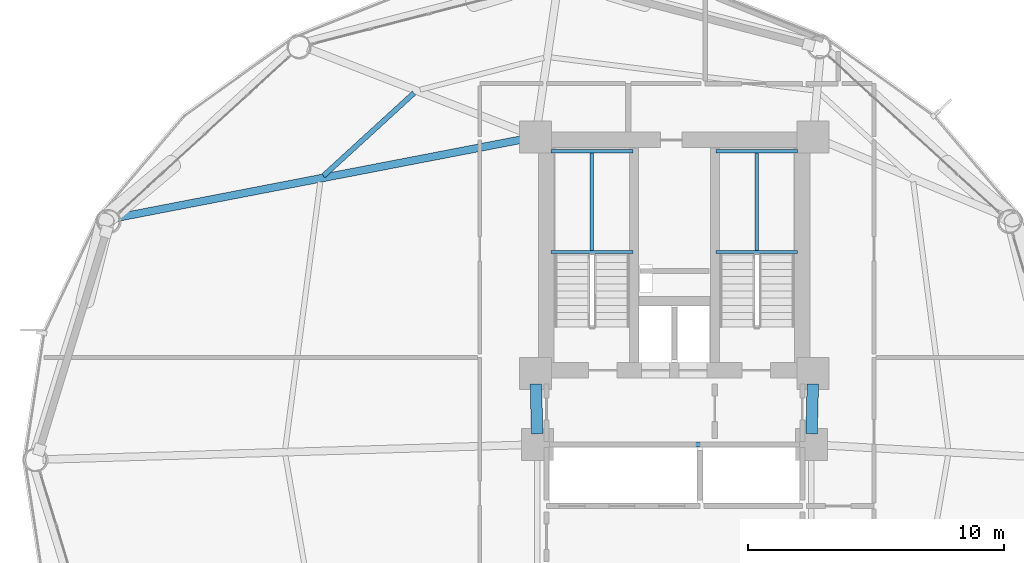
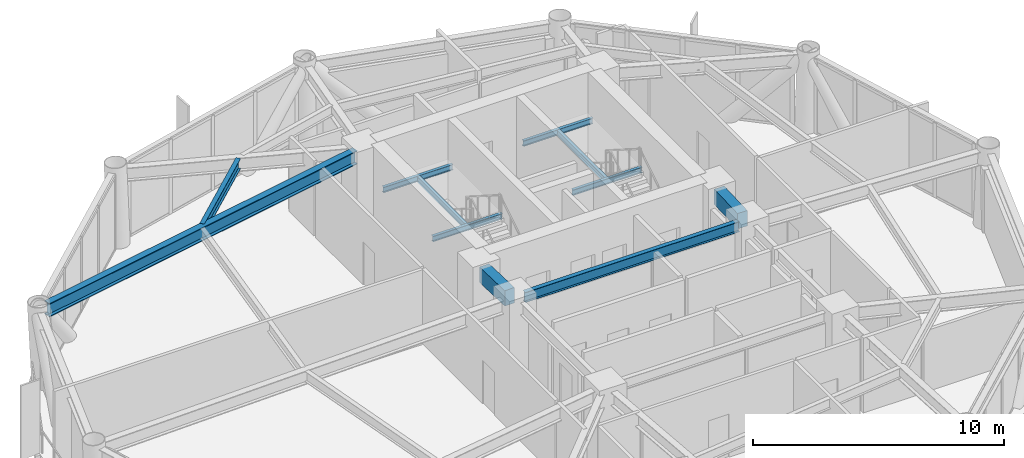
# One storey, part 13 of 25: 11 beams.
"""IFC4 building model written with IfcOpenShell, lengths in metres."""

from ifc_helpers import new_model, si_unit, direction, frame, origin, origin_2d, place, context, subcontext, project, spatial, rectangle, i_section, extrude, material, material_profile, profile_set, type_object, element, save


model = new_model("IFC4")

# Units and contexts
model_context = context("Model", 3, precision=1e-05, world=origin(), true_north=direction((0.0, 1.0)))
body_context = subcontext(model_context, "Body", "Model", "MODEL_VIEW")
ifc_project = project(units=[si_unit("LENGTHUNIT", "METRE"), si_unit("AREAUNIT", "SQUARE_METRE"), si_unit("VOLUMEUNIT", "CUBIC_METRE"), si_unit("PLANEANGLEUNIT", "RADIAN"), si_unit("MASSUNIT", "GRAM", prefix="KILO")], contexts=[model_context])

# Site, building, storey
site_placement = place(None, origin())
site = spatial("IfcSite", under=ifc_project, at=site_placement, CompositionType="ELEMENT")
building_placement = place(site_placement, origin())
building = spatial("IfcBuilding", under=site, at=building_placement, Name="Varnakorn Sky Granary", CompositionType="ELEMENT")
storey_placement = place(building_placement, frame((0.0, 0.0, 35.39990234375)))
storey = spatial("IfcBuildingStorey", under=building, at=storey_placement, Name="L08", CompositionType="ELEMENT", Elevation=35.39990234375)

# Beams
ifc_material_1 = material(Name="Concrete C60/75", Category="concrete")
ifc_material_profile_1 = material_profile(ifc_material_1, rectangle(XDim=0.449951171875, YDim=0.75, at=origin_2d()), Name="RC 450x750")
ifc_profile_set_1 = profile_set([ifc_material_profile_1], Name="Concrete C60/75")
beam_type_1 = type_object("IfcBeamType", Name="BM-LIN-750", PredefinedType="LINTEL", material=ifc_profile_set_1)
for number, where, z_axis, x_axis, name in (
    (1, (-2.409423828125, 2.960205078125, 3.26513671875), (0.025158763514, -0.999683468213, 0.0), (0.999683468213, 0.025158763514, 0.0), "Core Spine Framing Beam 1 L08"),
    (2, (8.409423828125, 2.960205078125, 3.26513671875), (-0.025158763514, -0.999683468213, 0.0), (0.999683468213, -0.025158763514, 0.0), "Core Spine Framing Beam 2 L08"),
):
    element("IfcBeam", number, at=place(storey_placement, frame(where, z_axis=z_axis, x_axis=x_axis)), inside=storey, type_object=beam_type_1, Name=name, PredefinedType="LINTEL", context=body_context, shape_type="SweptSolid", body=[
        extrude(rectangle(XDim=0.449951171875, YDim=0.75, at=origin_2d()), origin(), (0.0, 0.0, 1.0), 1.94091796875),
    ])
ifc_material_2 = material(Name="Steel S355JR", Category="steel")
ifc_material_profile_2 = material_profile(ifc_material_2, i_section(OverallWidth=0.135009765625, OverallDepth=0.27001953125, WebThickness=0.006591796875, FlangeThickness=0.01025390625, at=origin_2d()), Name="IPE 270")
ifc_profile_set_2 = profile_set([ifc_material_profile_2], Name="Steel S355JR")
beam_type_2 = type_object("IfcBeamType", Name="BM-LND-270", PredefinedType="BEAM", material=ifc_profile_set_2)
for number, where, z_axis, x_axis, name in (
    (3, (-1.820068359375, 8.1201171875, 1.614990234375), (1.0, 0.0, 0.0), (0.0, 1.0, 0.0), "Stair ST-1 Landing Trimmer Beam A L08-1"),
    (4, (-1.820068359375, 12.06005859375, 1.614990234375), (1.0, 0.0, 0.0), (0.0, 1.0, 0.0), "Stair ST-1 Landing Trimmer Beam B L08-1"),
):
    element("IfcBeam", number, at=place(storey_placement, frame(where, z_axis=z_axis, x_axis=x_axis)), inside=storey, type_object=beam_type_2, Name=name, PredefinedType="BEAM", context=body_context, shape_type="SweptSolid", body=[
        extrude(i_section(OverallWidth=0.135009765625, OverallDepth=0.27001953125, WebThickness=0.006591796875, FlangeThickness=0.01025390625, at=origin_2d()), origin(), (0.0, 0.0, 1.0), 3.199951171875),
    ])
beam_1_placement = place(storey_placement, frame((-0.219970703125, 8.1201171875, 1.614990234375), z_axis=(0.0, 1.0, 0.0), x_axis=(-1.0, 0.0, 0.0)))
element("IfcBeam", 5, at=beam_1_placement, inside=storey, type_object=beam_type_2, Name="Stair ST-1 Landing Cross Beam C L08-1", PredefinedType="BEAM", context=body_context, shape_type="SweptSolid", body=[
    extrude(i_section(OverallWidth=0.135009765625, OverallDepth=0.27001953125, WebThickness=0.006591796875, FlangeThickness=0.01025390625, at=origin_2d()), origin(), (0.0, 0.0, 1.0), 3.93994140625),
])
for number, where, z_axis, x_axis, name in (
    (6, (4.6201171875, 8.1201171875, 1.614990234375), (1.0, 0.0, 0.0), (0.0, 1.0, 0.0), "Stair ST-2 Landing Trimmer Beam A L08-1"),
    (7, (4.6201171875, 12.06005859375, 1.614990234375), (1.0, 0.0, 0.0), (0.0, 1.0, 0.0), "Stair ST-2 Landing Trimmer Beam B L08-1"),
):
    element("IfcBeam", number, at=place(storey_placement, frame(where, z_axis=z_axis, x_axis=x_axis)), inside=storey, type_object=beam_type_2, Name=name, PredefinedType="BEAM", context=body_context, shape_type="SweptSolid", body=[
        extrude(i_section(OverallWidth=0.135009765625, OverallDepth=0.27001953125, WebThickness=0.006591796875, FlangeThickness=0.01025390625, at=origin_2d()), origin(), (0.0, 0.0, 1.0), 3.199951171875),
    ])
beam_2_placement = place(storey_placement, frame((6.219970703125, 8.1201171875, 1.614990234375), z_axis=(0.0, 1.0, 0.0), x_axis=(-1.0, 0.0, 0.0)))
element("IfcBeam", 8, at=beam_2_placement, inside=storey, type_object=beam_type_2, Name="Stair ST-2 Landing Cross Beam C L08-1", PredefinedType="BEAM", context=body_context, shape_type="SweptSolid", body=[
    extrude(i_section(OverallWidth=0.135009765625, OverallDepth=0.27001953125, WebThickness=0.006591796875, FlangeThickness=0.01025390625, at=origin_2d()), origin(), (0.0, 0.0, 1.0), 3.93994140625),
])
ifc_material_profile_3 = material_profile(ifc_material_2, i_section(OverallWidth=0.300048828125, OverallDepth=0.64990234375, WebThickness=0.01611328125, FlangeThickness=0.031005859375, at=origin_2d()), Name="HE 650 B")
ifc_profile_set_3 = profile_set([ifc_material_profile_3], Name="Steel S355JR")
beam_type_3 = type_object("IfcBeamType", Name="BM-RAD-Z1", PredefinedType="BEAM", material=ifc_profile_set_3)
beam_3_placement = place(storey_placement, frame((-2.83251953125, 12.540283203125, 3.315185546875), z_axis=(-0.981858755677, -0.189613775607, 0.0), x_axis=(0.189613775607, -0.981858755677, 0.0)))
element("IfcBeam", 9, at=beam_3_placement, inside=storey, type_object=beam_type_3, Name="Radial Floor Girder RG06 L08", PredefinedType="BEAM", context=body_context, shape_type="SweptSolid", body=[
    extrude(i_section(OverallWidth=0.300048828125, OverallDepth=0.64990234375, WebThickness=0.01611328125, FlangeThickness=0.031005859375, at=origin_2d()), origin(), (0.0, 0.0, 1.0), 16.2568359375),
])
ifc_material_profile_4 = material_profile(ifc_material_2, i_section(OverallWidth=0.199951171875, OverallDepth=0.5, WebThickness=0.01025390625, FlangeThickness=0.01611328125, at=origin_2d()), Name="IPE 500")
ifc_profile_set_4 = profile_set([ifc_material_profile_4], Name="Steel S355JR")
beam_type_4 = type_object("IfcBeamType", Name="BM-SEC-Z1", PredefinedType="BEAM", material=ifc_profile_set_4)
beam_4_placement = place(storey_placement, frame((-7.1708984375, 14.32958984375, 3.39013671875), z_axis=(-0.738013600525, -0.674785836722, 0.0), x_axis=(0.674785836722, -0.738013600525, 0.0)))
element("IfcBeam", 10, at=beam_4_placement, inside=storey, type_object=beam_type_4, Name="Secondary Floor Chord Beam MSB05 L08", PredefinedType="BEAM", context=body_context, shape_type="SweptSolid", body=[
    extrude(i_section(OverallWidth=0.199951171875, OverallDepth=0.5, WebThickness=0.01025390625, FlangeThickness=0.01611328125, at=origin_2d()), origin(), (0.0, 0.0, 1.0), 4.795654296875),
])
beam_5_placement = place(storey_placement, frame((-1.929931640625, 0.60009765625, 3.39013671875), z_axis=(1.0, 0.0, 0.0), x_axis=(0.0, 1.0, 0.0)))
element("IfcBeam", 11, at=beam_5_placement, inside=storey, type_object=beam_type_4, Name="Core Spine Framing Beam 5 L08", PredefinedType="BEAM", context=body_context, shape_type="SweptSolid", body=[
    extrude(i_section(OverallWidth=0.199951171875, OverallDepth=0.5, WebThickness=0.01025390625, FlangeThickness=0.01611328125, at=origin_2d()), origin(), (0.0, 0.0, 1.0), 9.85986328125),
])

save(model, "model.ifc")
